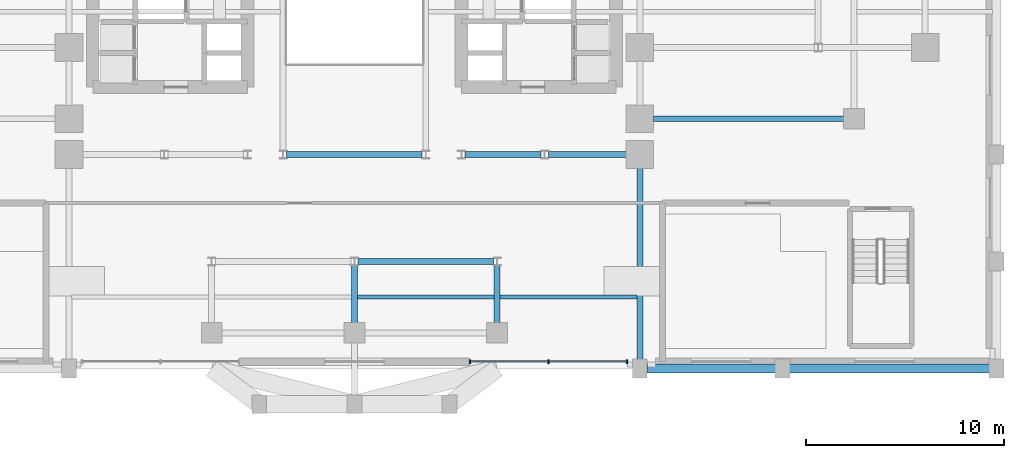
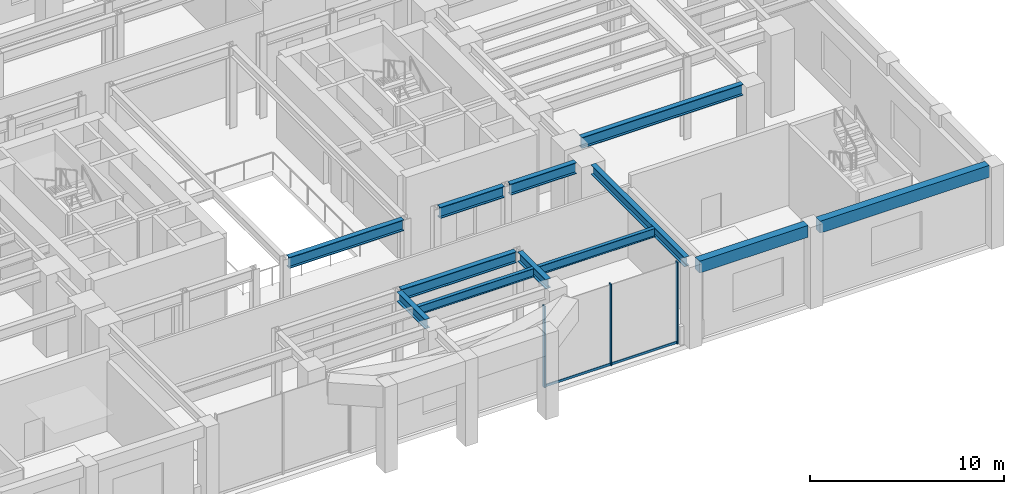
# One storey, part 6 of 16: 12 beams, 5 members, 1 element without a shape of its own.
"""IFC4 building model written with IfcOpenShell, lengths in metres."""

from ifc_helpers import new_model, si_unit, direction, frame, origin, origin_2d, place, context, subcontext, project, spatial, rectangle, i_section, extrude, source, transform, mapped, material, material_profile, profile_set, type_object, element, aggregate, save


model = new_model("IFC4")

# Units and contexts
model_context = context("Model", 3, precision=1e-05, world=origin(), true_north=direction((0.0, 1.0)))
body_context = subcontext(model_context, "Body", "Model", "MODEL_VIEW")
ifc_project = project(units=[si_unit("LENGTHUNIT", "METRE"), si_unit("AREAUNIT", "SQUARE_METRE"), si_unit("VOLUMEUNIT", "CUBIC_METRE"), si_unit("PLANEANGLEUNIT", "RADIAN"), si_unit("MASSUNIT", "GRAM", prefix="KILO")], contexts=[model_context])

# Site, building, storey
site_placement = place(None, origin())
site = spatial("IfcSite", under=ifc_project, at=site_placement, CompositionType="ELEMENT")
building_placement = place(site_placement, origin())
building = spatial("IfcBuilding", under=site, at=building_placement, Name="Keilestroom Media Tower", CompositionType="ELEMENT")
storey_placement = place(building_placement, frame((0.0, 0.0, 10.199951171875)))
storey = spatial("IfcBuildingStorey", under=building, at=storey_placement, Name="L02", CompositionType="ELEMENT", Elevation=10.199951171875)

# Beams
ifc_material_1 = material(Name="Precast concrete C40/50", Category="concrete")
ifc_material_profile_1 = material_profile(ifc_material_1, rectangle(XDim=0.449951171875, YDim=0.75, at=origin_2d()), Name="PC 450x750")
ifc_profile_set_1 = profile_set([ifc_material_profile_1], Name="Precast concrete C40/50")
beam_type_1 = type_object("IfcBeamType", Name="Perimeter-Spandrel-Beam-PC-450x750", PredefinedType="SPANDREL", material=ifc_profile_set_1)
shared_shape_1 = source(origin(), body_context, "Body", "SweptSolid", [
    extrude(rectangle(XDim=0.449951171875, YDim=0.75, at=origin_2d()), origin(), (0.0, 0.0, 1.0), 10.08984375),
])
beam_1_placement = place(storey_placement, frame((21.955078125, -19.800048828125, 4.775146484375), z_axis=(1.0, 0.0, 0.0), x_axis=(0.0, 1.0, 0.0)))
element("IfcBeam", 1, at=beam_1_placement, inside=storey, type_object=beam_type_1, Name="L02 Beam SPB-1 BM-L02-EW-004", PredefinedType="SPANDREL", context=body_context, shape_type="MappedRepresentation", body=[
    mapped(shared_shape_1, transform((0.0, 0.0, 0.0), x_axis=(1.0, 0.0, 0.0), y_axis=(0.0, 1.0, 0.0), z_axis=(0.0, 0.0, 1.0), scale=1.0)),
])
shared_shape_2 = source(origin(), body_context, "Body", "SweptSolid", [
    extrude(rectangle(XDim=0.449951171875, YDim=0.75, at=origin_2d()), origin(), (0.0, 0.0, 1.0), 6.490234375),
])
beam_2_placement = place(storey_placement, frame((14.7548828125, -19.800048828125, 4.775146484375), z_axis=(1.0, 0.0, 0.0), x_axis=(0.0, 1.0, 0.0)))
element("IfcBeam", 2, at=beam_2_placement, inside=storey, type_object=beam_type_1, Name="L02 Beam SPB-1 BM-L02-EW-003", PredefinedType="SPANDREL", context=body_context, shape_type="MappedRepresentation", body=[
    mapped(shared_shape_2, transform((0.0, 0.0, 0.0), x_axis=(1.0, 0.0, 0.0), y_axis=(0.0, 1.0, 0.0), z_axis=(0.0, 0.0, 1.0), scale=1.0)),
])
ifc_material_2 = material(Name="Steel S355", Category="steel")
ifc_material_profile_2 = material_profile(ifc_material_2, i_section(OverallWidth=0.300048828125, OverallDepth=0.60009765625, WebThickness=0.013427734375, FlangeThickness=0.030029296875, at=origin_2d()), Name="HEB 600")
ifc_profile_set_2 = profile_set([ifc_material_profile_2], Name="Steel S355")
beam_type_2 = type_object("IfcBeamType", Name="Primary-Structural-Girder-HEB-600", PredefinedType="BEAM", material=ifc_profile_set_2)
shared_shape_3 = source(origin(), body_context, "Body", "SweptSolid", [
    extrude(i_section(OverallWidth=0.300048828125, OverallDepth=0.60009765625, WebThickness=0.013427734375, FlangeThickness=0.030029296875, at=origin_2d()), origin(), (0.0, 0.0, 1.0), 9.6650390625),
])
beam_3_placement = place(storey_placement, frame((14.39990234375, -19.344970703125, 4.85009765625), z_axis=(0.0, 1.0, 0.0), x_axis=(-1.0, 0.0, 0.0)))
element("IfcBeam", 3, at=beam_3_placement, inside=storey, type_object=beam_type_2, Name="L02 Beam BG-4 BM-L02-NS-075", PredefinedType="BEAM", context=body_context, shape_type="MappedRepresentation", body=[
    mapped(shared_shape_3, transform((0.0, 0.0, 0.0), x_axis=(1.0, 0.0, 0.0), y_axis=(0.0, 1.0, 0.0), z_axis=(0.0, 0.0, 1.0), scale=1.0)),
])
shared_shape_4 = source(origin(), body_context, "Body", "SweptSolid", [
    extrude(i_section(OverallWidth=0.300048828125, OverallDepth=0.60009765625, WebThickness=0.013427734375, FlangeThickness=0.030029296875, at=origin_2d()), origin(), (0.0, 0.0, 1.0), 2.9072265625),
])
for number, where, z_axis, x_axis, name in (
    (4, (0.0, -17.4951171875, 4.85009765625), (0.0, 1.0, 0.0), (-1.0, 0.0, 0.0), "L02 Beam BG-4 BM-L02-NS-067"),
    (5, (7.199951171875, -17.4951171875, 4.85009765625), (0.0, 1.0, 0.0), (-1.0, 0.0, 0.0), "L02 Beam BG-4 BM-L02-NS-072"),
):
    element("IfcBeam", number, at=place(storey_placement, frame(where, z_axis=z_axis, x_axis=x_axis)), inside=storey, type_object=beam_type_2, Name=name, PredefinedType="BEAM", context=body_context, shape_type="MappedRepresentation", body=[
        mapped(shared_shape_4, transform((0.0, 0.0, 0.0), x_axis=(1.0, 0.0, 0.0), y_axis=(0.0, 1.0, 0.0), z_axis=(0.0, 0.0, 1.0), scale=1.0)),
    ])
ifc_material_3 = material(Name="Steel S460", Category="steel")
ifc_material_profile_3 = material_profile(ifc_material_3, i_section(OverallWidth=0.300048828125, OverallDepth=0.699951171875, WebThickness=0.014404296875, FlangeThickness=0.031982421875, at=origin_2d()), Name="HEB 700")
ifc_profile_set_3 = profile_set([ifc_material_profile_3], Name="Steel S460")
beam_type_3 = type_object("IfcBeamType", Name="Primary-Structural-Girder-HEB-700", PredefinedType="BEAM", material=ifc_profile_set_3)
shared_shape_5 = source(origin(), body_context, "Body", "SweptSolid", [
    extrude(i_section(OverallWidth=0.300048828125, OverallDepth=0.699951171875, WebThickness=0.014404296875, FlangeThickness=0.031982421875, at=origin_2d()), origin(), (0.0, 0.0, 1.0), 6.833984375),
])
for number, where, z_axis, x_axis, name in (
    (6, (0.18310546875, -14.39990234375, 4.800048828125), (1.0, 0.0, 0.0), (0.0, 1.0, 0.0), "L02 Beam BG-2 BM-L02-EW-008"),
    (7, (-3.4169921875, -9.0, 4.800048828125), (1.0, 0.0, 0.0), (0.0, 1.0, 0.0), "L02 Beam BG-2 BM-L02-EW-012"),
):
    element("IfcBeam", number, at=place(storey_placement, frame(where, z_axis=z_axis, x_axis=x_axis)), inside=storey, type_object=beam_type_3, Name=name, PredefinedType="BEAM", context=body_context, shape_type="MappedRepresentation", body=[
        mapped(shared_shape_5, transform((0.0, 0.0, 0.0), x_axis=(1.0, 0.0, 0.0), y_axis=(0.0, 1.0, 0.0), z_axis=(0.0, 0.0, 1.0), scale=1.0)),
    ])
shared_shape_6 = source(origin(), body_context, "Body", "SweptSolid", [
    extrude(i_section(OverallWidth=0.300048828125, OverallDepth=0.699951171875, WebThickness=0.014404296875, FlangeThickness=0.031982421875, at=origin_2d()), origin(), (0.0, 0.0, 1.0), 3.93701171875),
])
beam_4_placement = place(storey_placement, frame((9.782958984375, -9.0, 4.800048828125), z_axis=(1.0, 0.0, 0.0), x_axis=(0.0, 1.0, 0.0)))
element("IfcBeam", 8, at=beam_4_placement, inside=storey, type_object=beam_type_3, Name="L02 Beam BG-2 BM-L02-EW-015", PredefinedType="BEAM", context=body_context, shape_type="MappedRepresentation", body=[
    mapped(shared_shape_6, transform((0.0, 0.0, 0.0), x_axis=(1.0, 0.0, 0.0), y_axis=(0.0, 1.0, 0.0), z_axis=(0.0, 0.0, 1.0), scale=1.0)),
])
shared_shape_7 = source(origin(), body_context, "Body", "SweptSolid", [
    extrude(i_section(OverallWidth=0.300048828125, OverallDepth=0.699951171875, WebThickness=0.014404296875, FlangeThickness=0.031982421875, at=origin_2d()), origin(), (0.0, 0.0, 1.0), 3.833984375),
])
beam_5_placement = place(storey_placement, frame((5.5830078125, -9.0, 4.800048828125), z_axis=(1.0, 0.0, 0.0), x_axis=(0.0, 1.0, 0.0)))
element("IfcBeam", 9, at=beam_5_placement, inside=storey, type_object=beam_type_3, Name="L02 Beam BG-2 BM-L02-EW-014", PredefinedType="BEAM", context=body_context, shape_type="MappedRepresentation", body=[
    mapped(shared_shape_7, transform((0.0, 0.0, 0.0), x_axis=(1.0, 0.0, 0.0), y_axis=(0.0, 1.0, 0.0), z_axis=(0.0, 0.0, 1.0), scale=1.0)),
])
shared_shape_8 = source(origin(), body_context, "Body", "SweptSolid", [
    extrude(i_section(OverallWidth=0.300048828125, OverallDepth=0.699951171875, WebThickness=0.014404296875, FlangeThickness=0.031982421875, at=origin_2d()), origin(), (0.0, 0.0, 1.0), 9.614990234375),
])
beam_6_placement = place(storey_placement, frame((15.080078125, -7.199951171875, 4.800048828125), z_axis=(1.0, 0.0, 0.0), x_axis=(0.0, 1.0, 0.0)))
element("IfcBeam", 10, at=beam_6_placement, inside=storey, type_object=beam_type_3, Name="L02 Beam BG-2 BM-L02-EW-017", PredefinedType="BEAM", context=body_context, shape_type="MappedRepresentation", body=[
    mapped(shared_shape_8, transform((0.0, 0.0, 0.0), x_axis=(1.0, 0.0, 0.0), y_axis=(0.0, 1.0, 0.0), z_axis=(0.0, 0.0, 1.0), scale=1.0)),
])
ifc_material_profile_4 = material_profile(ifc_material_2, i_section(OverallWidth=0.2099609375, OverallDepth=0.550048828125, WebThickness=0.010986328125, FlangeThickness=0.01708984375, at=origin_2d()), Name="IPE 550")
ifc_profile_set_4 = profile_set([ifc_material_profile_4], Name="Steel S355")
beam_type_4 = type_object("IfcBeamType", Name="Secondary-Floor-Joist-IPE-550", PredefinedType="JOIST", material=ifc_profile_set_4)
shared_shape_9 = source(origin(), body_context, "Body", "SweptSolid", [
    extrude(i_section(OverallWidth=0.2099609375, OverallDepth=0.550048828125, WebThickness=0.010986328125, FlangeThickness=0.01708984375, at=origin_2d()), origin(), (0.0, 0.0, 1.0), 6.93994140625),
])
beam_7_placement = place(storey_placement, frame((7.330078125, -16.199951171875, 4.875), z_axis=(1.0, 0.0, 0.0), x_axis=(0.0, 1.0, 0.0)))
element("IfcBeam", 11, at=beam_7_placement, inside=storey, type_object=beam_type_4, Name="L02 Beam BJ-1 JST-L02-094", PredefinedType="JOIST", context=body_context, shape_type="MappedRepresentation", body=[
    mapped(shared_shape_9, transform((0.0, 0.0, 0.0), x_axis=(1.0, 0.0, 0.0), y_axis=(0.0, 1.0, 0.0), z_axis=(0.0, 0.0, 1.0), scale=1.0)),
])
shared_shape_10 = source(origin(), body_context, "Body", "SweptSolid", [
    extrude(i_section(OverallWidth=0.2099609375, OverallDepth=0.550048828125, WebThickness=0.010986328125, FlangeThickness=0.01708984375, at=origin_2d()), origin(), (0.0, 0.0, 1.0), 6.940185546875),
])
beam_8_placement = place(storey_placement, frame((0.1298828125, -16.199951171875, 4.875), z_axis=(1.0, 0.0, 0.0), x_axis=(0.0, 1.0, 0.0)))
element("IfcBeam", 12, at=beam_8_placement, inside=storey, type_object=beam_type_4, Name="L02 Beam BJ-1 JST-L02-093", PredefinedType="JOIST", context=body_context, shape_type="MappedRepresentation", body=[
    mapped(shared_shape_10, transform((0.0, 0.0, 0.0), x_axis=(1.0, 0.0, 0.0), y_axis=(0.0, 1.0, 0.0), z_axis=(0.0, 0.0, 1.0), scale=1.0)),
])

# Curtain wall, members
ifc_material_4 = material(Name="Anodised Aluminium Alloy", Category="aluminium")
curtain_wall_type = type_object("IfcCurtainWallType", Name="Unitised-Curtain-Wall-CW-5", PredefinedType="NOTDEFINED", material=ifc_material_4)
curtain_wall_placement = place(storey_placement, origin())
curtain_wall = element("IfcCurtainWall", 13, at=curtain_wall_placement, inside=storey, type_object=curtain_wall_type, Name="L02 Curtain Wall CW-5 CW-L02-S-ATE", PredefinedType="NOTDEFINED")
ifc_material_profile_5 = material_profile(ifc_material_4, rectangle(XDim=0.070068359375, YDim=0.199951171875, at=origin_2d()), Name="ALU MULLION 70x200")
ifc_profile_set_5 = profile_set([ifc_material_profile_5], Name="Anodised Aluminium Alloy")
member_type_1 = type_object("IfcMemberType", Name="Curtain-Wall-Mullion-CW-5", PredefinedType="MULLION", material=ifc_profile_set_5)
shared_shape_11 = source(origin(), body_context, "Body", "SweptSolid", [
    extrude(rectangle(XDim=0.070068359375, YDim=0.199951171875, at=origin_2d()), origin(), (0.0, 0.0, 1.0), 5.150146484375),
])
member_1_placement = place(storey_placement, frame((5.8349609375, -19.449951171875, 0.0), z_axis=(0.0, 0.0, 1.0), x_axis=(1.0, 0.0, 0.0)))
member_1 = element("IfcMember", 14, at=member_1_placement, type_object=member_type_1, Name="CW-5 Mullion 00", PredefinedType="MULLION", context=body_context, shape_type="MappedRepresentation", body=[
    mapped(shared_shape_11, transform((0.0, 0.0, 0.0), x_axis=(1.0, 0.0, 0.0), y_axis=(0.0, 1.0, 0.0), z_axis=(0.0, 0.0, 1.0), scale=1.0)),
])
member_2_placement = place(storey_placement, frame((9.7900390625, -19.449951171875, 0.0), z_axis=(0.0, 0.0, 1.0), x_axis=(1.0, 0.0, 0.0)))
member_2 = element("IfcMember", 15, at=member_2_placement, type_object=member_type_1, Name="CW-5 Mullion 01", PredefinedType="MULLION", context=body_context, shape_type="MappedRepresentation", body=[
    mapped(shared_shape_11, transform((0.0, 0.0, 0.0), x_axis=(1.0, 0.0, 0.0), y_axis=(0.0, 1.0, 0.0), z_axis=(0.0, 0.0, 1.0), scale=1.0)),
])
member_3_placement = place(storey_placement, frame((13.7451171875, -19.449951171875, 0.0), z_axis=(0.0, 0.0, 1.0), x_axis=(1.0, 0.0, 0.0)))
member_3 = element("IfcMember", 16, at=member_3_placement, type_object=member_type_1, Name="CW-5 Mullion 02", PredefinedType="MULLION", context=body_context, shape_type="MappedRepresentation", body=[
    mapped(shared_shape_11, transform((0.0, 0.0, 0.0), x_axis=(1.0, 0.0, 0.0), y_axis=(0.0, 1.0, 0.0), z_axis=(0.0, 0.0, 1.0), scale=1.0)),
])
ifc_material_profile_6 = material_profile(ifc_material_4, rectangle(XDim=0.06494140625, YDim=0.14990234375, at=origin_2d()), Name="ALU TRANSOM 65x150")
ifc_profile_set_6 = profile_set([ifc_material_profile_6], Name="Anodised Aluminium Alloy")
member_type_2 = type_object("IfcMemberType", Name="Curtain-Wall-Transom-CW-5", PredefinedType="USERDEFINED", material=ifc_profile_set_6)
shared_shape_12 = source(origin(), body_context, "Body", "SweptSolid", [
    extrude(rectangle(XDim=0.06494140625, YDim=0.14990234375, at=origin_2d()), origin(), (0.0, 0.0, 1.0), 3.888916015625),
])
member_4_placement = place(storey_placement, frame((9.822998046875, -19.449951171875, 0.074951171875), z_axis=(1.0, 0.0, 0.0), x_axis=(0.0, 1.0, 0.0)))
member_4 = element("IfcMember", 17, at=member_4_placement, type_object=member_type_2, Name="CW-5 Transom 01.1", ObjectType="TRANSOM", PredefinedType="USERDEFINED", context=body_context, shape_type="MappedRepresentation", body=[
    mapped(shared_shape_12, transform((0.0, 0.0, 0.0), x_axis=(1.0, 0.0, 0.0), y_axis=(0.0, 1.0, 0.0), z_axis=(0.0, 0.0, 1.0), scale=1.0)),
])
shared_shape_13 = source(origin(), body_context, "Body", "SweptSolid", [
    extrude(rectangle(XDim=0.06494140625, YDim=0.14990234375, at=origin_2d()), origin(), (0.0, 0.0, 1.0), 3.88916015625),
])
member_5_placement = place(storey_placement, frame((5.867919921875, -19.449951171875, 0.074951171875), z_axis=(1.0, 0.0, 0.0), x_axis=(0.0, 1.0, 0.0)))
member_5 = element("IfcMember", 18, at=member_5_placement, type_object=member_type_2, Name="CW-5 Transom 00.1", ObjectType="TRANSOM", PredefinedType="USERDEFINED", context=body_context, shape_type="MappedRepresentation", body=[
    mapped(shared_shape_13, transform((0.0, 0.0, 0.0), x_axis=(1.0, 0.0, 0.0), y_axis=(0.0, 1.0, 0.0), z_axis=(0.0, 0.0, 1.0), scale=1.0)),
])
aggregate(curtain_wall, [member_1, member_2, member_3, member_5, member_4])

save(model, "model.ifc")
